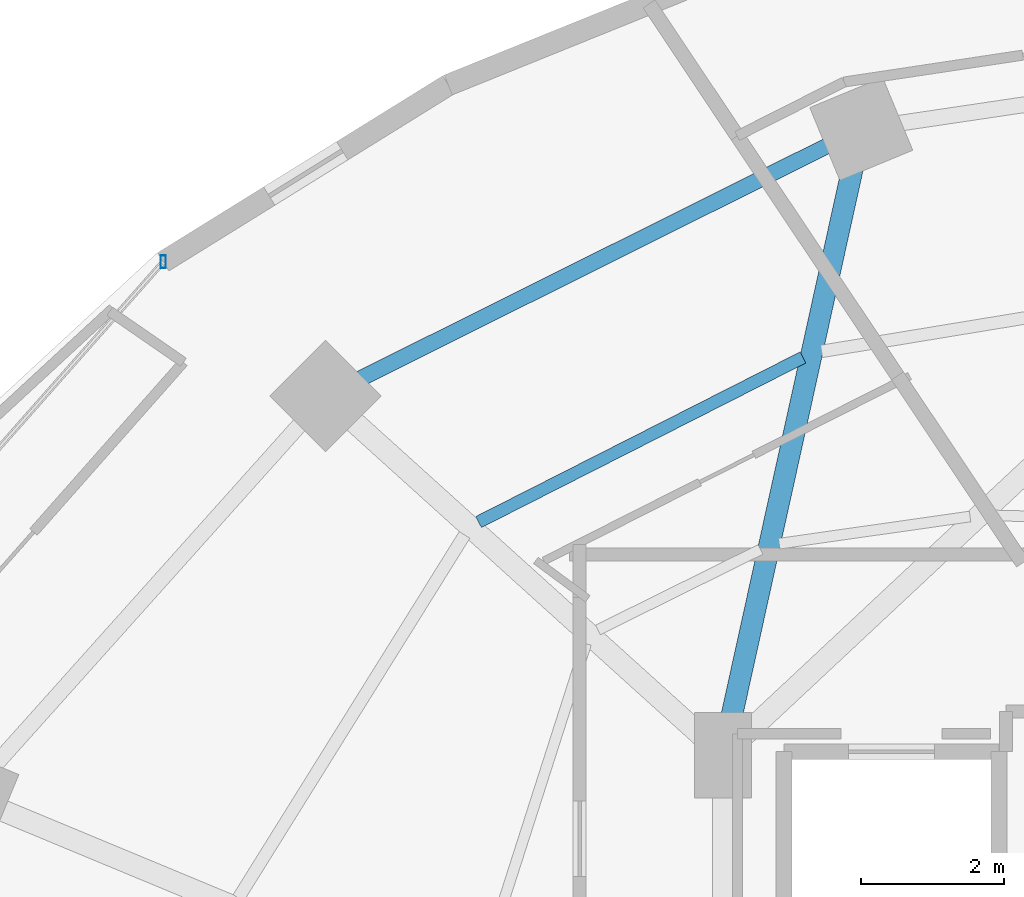
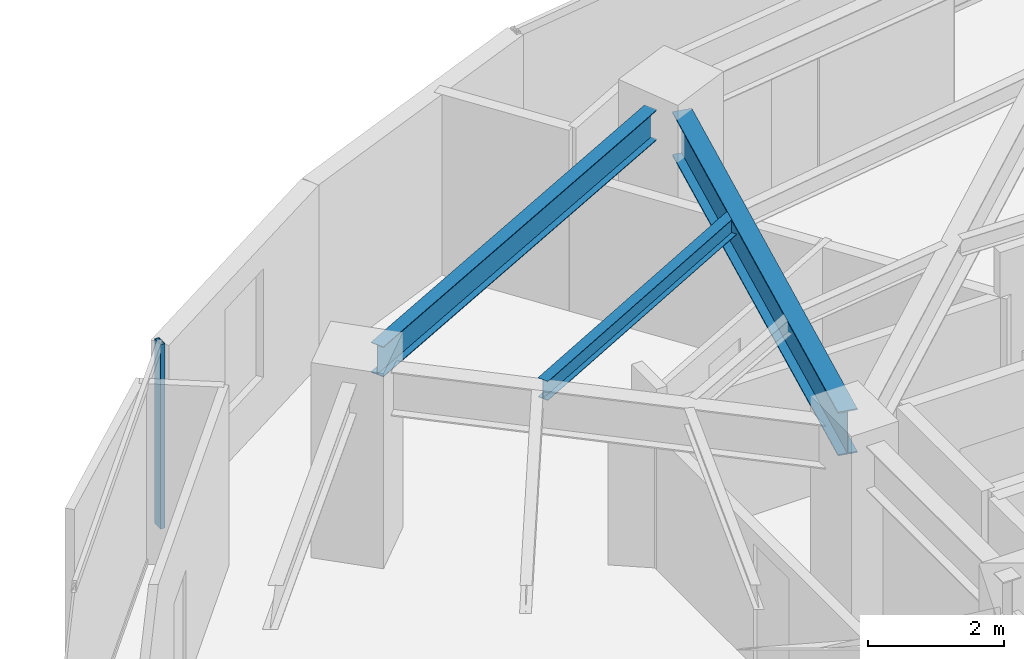
# One storey, part 17 of 30: 3 beams, 1 member, 1 element without a shape of its own.
"""IFC4 building model written with IfcOpenShell, lengths in metres."""

from ifc_helpers import new_model, si_unit, direction, frame, origin, origin_2d, place, context, subcontext, project, spatial, hollow_rectangle, i_section, extrude, material, material_profile, profile_set, type_object, element, aggregate, save


model = new_model("IFC4")

# Units and contexts
model_context = context("Model", 3, precision=1e-05, world=origin(), true_north=direction((0.0, 1.0)))
body_context = subcontext(model_context, "Body", "Model", "MODEL_VIEW")
ifc_project = project(units=[si_unit("LENGTHUNIT", "METRE"), si_unit("AREAUNIT", "SQUARE_METRE"), si_unit("VOLUMEUNIT", "CUBIC_METRE"), si_unit("PLANEANGLEUNIT", "RADIAN"), si_unit("MASSUNIT", "GRAM", prefix="KILO")], contexts=[model_context])

# Site, building, storey
site_placement = place(None, origin())
site = spatial("IfcSite", under=ifc_project, at=site_placement, CompositionType="ELEMENT")
building_placement = place(site_placement, origin())
building = spatial("IfcBuilding", under=site, at=building_placement, Name="Vorneva Point Tower", CompositionType="ELEMENT")
storey_placement = place(building_placement, frame((0.0, 0.0, 78.800048828125)))
storey = spatial("IfcBuildingStorey", under=building, at=storey_placement, Name="L20", CompositionType="ELEMENT", Elevation=78.800048828125)

# Beams
ifc_material_1 = material(Name="Steel S355", Category="steel")
ifc_material_profile_1 = material_profile(ifc_material_1, i_section(OverallWidth=0.300048828125, OverallDepth=0.7880859375, WebThickness=0.014404296875, FlangeThickness=0.02197265625, at=origin_2d()), Name="80Sh1")
ifc_profile_set_1 = profile_set([ifc_material_profile_1], Name="Steel S355")
beam_type_1 = type_object("IfcBeamType", Name="BM-GRD-80Sh1", PredefinedType="USERDEFINED", material=ifc_profile_set_1)
beam_1_placement = place(storey_placement, frame((29.063232421875, 41.365234375, 2.845947265625), z_axis=(-0.215530944428, -0.976497010745, 0.0), x_axis=(0.976497010745, -0.215530944428, 0.0)))
element("IfcBeam", 1, at=beam_1_placement, inside=storey, type_object=beam_type_1, Name="L20 Radial Primary Girder 06", ObjectType="GIRDER", PredefinedType="USERDEFINED", context=body_context, shape_type="SweptSolid", body=[
    extrude(i_section(OverallWidth=0.300048828125, OverallDepth=0.7880859375, WebThickness=0.014404296875, FlangeThickness=0.02197265625, at=origin_2d()), origin(), (0.0, 0.0, 1.0), 8.072998046875),
])
ifc_material_profile_2 = material_profile(ifc_material_1, i_section(OverallWidth=0.174072265625, OverallDepth=0.345947265625, WebThickness=0.006103515625, FlangeThickness=0.009033203125, at=origin_2d()), Name="35B1")
ifc_profile_set_2 = profile_set([ifc_material_profile_2], Name="Steel S355")
beam_type_2 = type_object("IfcBeamType", Name="BM-SEC-35B1", PredefinedType="BEAM", material=ifc_profile_set_2)
beam_2_placement = place(storey_placement, frame((28.365966796875, 38.701416015625, 3.06689453125), z_axis=(-0.891736950486, -0.452554097471, 0.0), x_axis=(0.452554097471, -0.891736950486, 0.0)))
element("IfcBeam", 2, at=beam_2_placement, inside=storey, type_object=beam_type_2, Name="L20 Secondary Floor Beam 1.06", PredefinedType="BEAM", context=body_context, shape_type="SweptSolid", body=[
    extrude(i_section(OverallWidth=0.174072265625, OverallDepth=0.345947265625, WebThickness=0.006103515625, FlangeThickness=0.009033203125, at=origin_2d()), origin(), (0.0, 0.0, 1.0), 5.075927734375),
])
ifc_material_profile_3 = material_profile(ifc_material_1, i_section(OverallWidth=0.219970703125, OverallDepth=0.54296875, WebThickness=0.009521484375, FlangeThickness=0.013427734375, at=origin_2d()), Name="55B1")
ifc_profile_set_3 = profile_set([ifc_material_profile_3], Name="Steel S355")
beam_type_3 = type_object("IfcBeamType", Name="BM-SPN-55B1", PredefinedType="SPANDREL", material=ifc_profile_set_3)
beam_3_placement = place(storey_placement, frame((28.7001953125, 41.652099609375, 2.968505859375), z_axis=(-0.894915882304, -0.446234874926, 0.0), x_axis=(0.446234874926, -0.894915882304, 0.0)))
element("IfcBeam", 3, at=beam_3_placement, inside=storey, type_object=beam_type_3, Name="L20 Perimeter Spandrel Ring Beam 06", PredefinedType="SPANDREL", context=body_context, shape_type="SweptSolid", body=[
    extrude(i_section(OverallWidth=0.219970703125, OverallDepth=0.54296875, WebThickness=0.009521484375, FlangeThickness=0.013427734375, at=origin_2d()), origin(), (0.0, 0.0, 1.0), 7.285888671875),
])

# Curtain wall, member
ifc_material_2 = material(Name="Pale anodised aluminium", Category="aluminium")
curtain_wall_type = type_object("IfcCurtainWallType", Name="CW-HTL-SYS", PredefinedType="NOTDEFINED", material=ifc_material_2)
curtain_wall_placement = place(storey_placement, origin())
curtain_wall = element("IfcCurtainWall", 4, at=curtain_wall_placement, inside=storey, type_object=curtain_wall_type, Name="L20 Unitised Curtain Wall CW-L20-R02", PredefinedType="NOTDEFINED")
ifc_material_profile_4 = material_profile(ifc_material_2, hollow_rectangle(XDim=0.074951171875, YDim=0.179931640625, WallThickness=0.00390625, at=origin_2d()), Name="AL-MUL 180x75x4")
ifc_profile_set_4 = profile_set([ifc_material_profile_4], Name="Pale anodised aluminium")
member_type = type_object("IfcMemberType", Name="CW-MUL-180", PredefinedType="MULLION", material=ifc_profile_set_4)
member_placement = place(storey_placement, frame((19.4384765625, 40.0361328125, -0.0400390625), z_axis=(0.0, 0.0, 1.0), x_axis=(1.0, 0.0, 0.0)))
member = element("IfcMember", 5, at=member_placement, type_object=member_type, Name="CW-L20-R02 Mullion 01", PredefinedType="MULLION", context=body_context, shape_type="SweptSolid", body=[
    extrude(hollow_rectangle(XDim=0.074951171875, YDim=0.179931640625, WallThickness=0.00390625, at=origin_2d()), origin(), (0.0, 0.0, 1.0), 3.31005859375),
])
aggregate(curtain_wall, [member])

save(model, "model.ifc")
